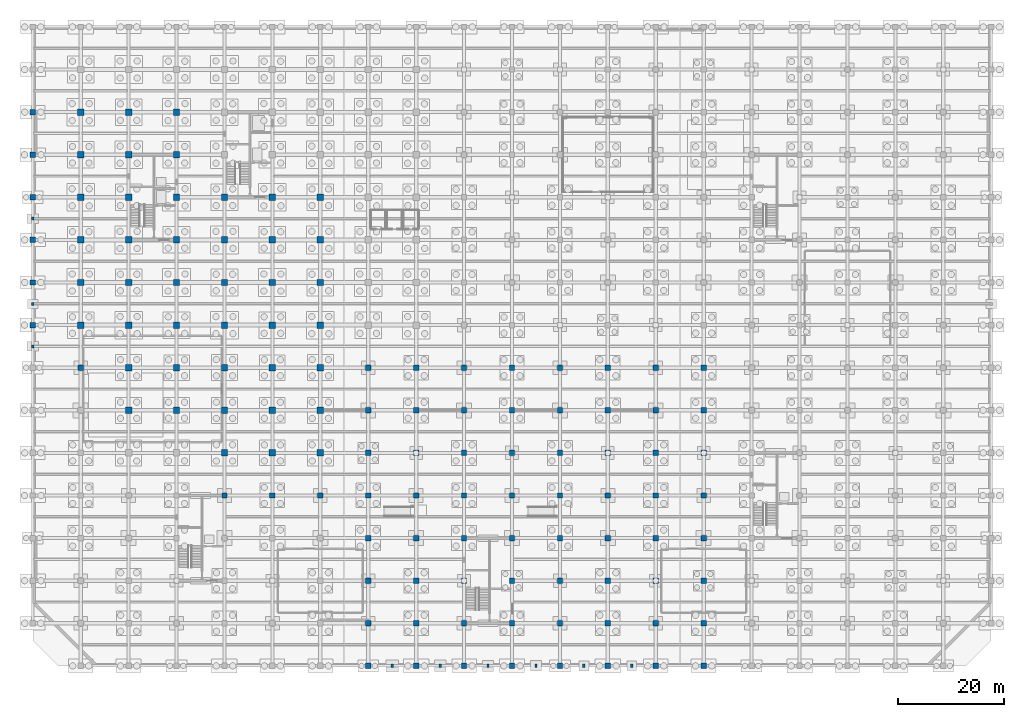
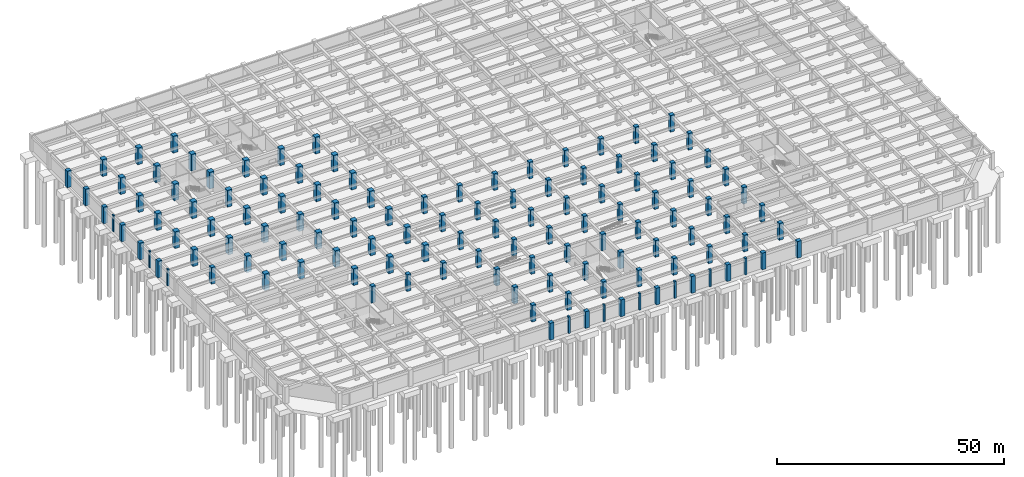
# One storey, part 9 of 31: 126 columns.
"""IFC4 building model written with IfcOpenShell, lengths in metres."""

from ifc_helpers import new_model, si_unit, direction, frame, origin, origin_2d, place, context, subcontext, project, spatial, rectangle, extrude, material, material_profile, profile_set, type_object, element, save


model = new_model("IFC4")

# Units and contexts
model_context = context("Model", 3, precision=1e-05, world=origin(), true_north=direction((0.0, 1.0)))
body_context = subcontext(model_context, "Body", "Model", "MODEL_VIEW")
ifc_project = project(units=[si_unit("LENGTHUNIT", "METRE"), si_unit("AREAUNIT", "SQUARE_METRE"), si_unit("VOLUMEUNIT", "CUBIC_METRE"), si_unit("PLANEANGLEUNIT", "RADIAN"), si_unit("MASSUNIT", "GRAM", prefix="KILO")], contexts=[model_context])

# Site, building, storey
site_placement = place(None, origin())
site = spatial("IfcSite", under=ifc_project, at=site_placement, CompositionType="ELEMENT")
building_placement = place(site_placement, origin())
building = spatial("IfcBuilding", under=site, at=building_placement, Name="Zaverband Oceanarium and Marine Research Institute", CompositionType="ELEMENT")
storey_placement = place(building_placement, frame((0.0, 0.0, -9.0)))
storey = spatial("IfcBuildingStorey", under=building, at=storey_placement, Name="B2", CompositionType="ELEMENT", Elevation=-9.0)

# Columns
ifc_material_1 = material(Name="Concrete C50/60", Category="concrete")
ifc_material_profile_1 = material_profile(ifc_material_1, rectangle(XDim=1.0, YDim=1.0, at=origin_2d()), Name="RC1000x1000")
ifc_profile_set_1 = profile_set([ifc_material_profile_1], Name="Concrete C50/60")
column_type_1 = type_object("IfcColumnType", Name="COL-C1000", PredefinedType="COLUMN", material=ifc_profile_set_1)
for number, where, z_axis, x_axis, name in (
    (1, (0.0, 64.0, 0.0), (0.0, 0.0, 1.0), (1.0, 0.0, 0.0), "Reinforced concrete column RC1000x1000 COL-C1000"),
    (2, (0.0, 72.0, 0.0), (0.0, 0.0, 1.0), (1.0, 0.0, 0.0), "Reinforced concrete column RC1000x1000 COL-C1000"),
    (3, (0.0, 80.0, 0.0), (0.0, 0.0, 1.0), (1.0, 0.0, 0.0), "Reinforced concrete column RC1000x1000 COL-C1000"),
    (4, (0.0, 88.0, 0.0), (0.0, 0.0, 1.0), (1.0, 0.0, 0.0), "Reinforced concrete column RC1000x1000 COL-C1000"),
    (5, (0.0, 96.0, 0.0), (0.0, 0.0, 1.0), (1.0, 0.0, 0.0), "Reinforced concrete column RC1000x1000 COL-C1000"),
    (6, (0.0, 104.0, 0.0), (0.0, 0.0, 1.0), (1.0, 0.0, 0.0), "Reinforced concrete column RC1000x1000 COL-C1000"),
    (7, (9.0, 56.0, 0.0), (0.0, 0.0, 1.0), (1.0, 0.0, 0.0), "Reinforced concrete column RC1000x1000 COL-C1000"),
    (8, (36.0, 32.0, 0.0), (0.0, 0.0, 1.0), (1.0, 0.0, 0.0), "Reinforced concrete column RC1000x1000 COL-C1000"),
    (9, (45.0, 32.0, 0.0), (0.0, 0.0, 1.0), (1.0, 0.0, 0.0), "Reinforced concrete column RC1000x1000 COL-C1000"),
    (10, (54.0, 32.0, 0.0), (0.0, 0.0, 1.0), (1.0, 0.0, 0.0), "Reinforced concrete column RC1000x1000 COL-C1000"),
    (11, (63.0, 0.0, 0.0), (0.0, 0.0, 1.0), (1.0, 0.0, 0.0), "Reinforced concrete column RC1000x1000 COL-C1000"),
    (12, (63.0, 8.0, 0.0), (0.0, 0.0, 1.0), (1.0, 0.0, 0.0), "Reinforced concrete column RC1000x1000 COL-C1000"),
    (13, (63.0, 16.0, 0.0), (0.0, 0.0, 1.0), (1.0, 0.0, 0.0), "Reinforced concrete column RC1000x1000 COL-C1000"),
    (14, (63.0, 24.0, 0.0), (0.0, 0.0, 1.0), (1.0, 0.0, 0.0), "Reinforced concrete column RC1000x1000 COL-C1000"),
    (15, (63.0, 32.0, 0.0), (0.0, 0.0, 1.0), (1.0, 0.0, 0.0), "Reinforced concrete column RC1000x1000 COL-C1000"),
    (16, (63.0, 40.0, 0.0), (0.0, 0.0, 1.0), (1.0, 0.0, 0.0), "Reinforced concrete column RC1000x1000 COL-C1000"),
    (17, (63.0, 48.0, 0.0), (0.0, 0.0, 1.0), (1.0, 0.0, 0.0), "Reinforced concrete column RC1000x1000 COL-C1000"),
    (18, (63.0, 56.0, 0.0), (0.0, 0.0, 1.0), (1.0, 0.0, 0.0), "Reinforced concrete column RC1000x1000 COL-C1000"),
    (19, (72.0, 0.0, 0.0), (0.0, 0.0, 1.0), (1.0, 0.0, 0.0), "Reinforced concrete column RC1000x1000 COL-C1000"),
    (20, (72.0, 8.0, 0.0), (0.0, 0.0, 1.0), (1.0, 0.0, 0.0), "Reinforced concrete column RC1000x1000 COL-C1000"),
    (21, (72.0, 16.0, 0.0), (0.0, 0.0, 1.0), (1.0, 0.0, 0.0), "Reinforced concrete column RC1000x1000 COL-C1000"),
    (22, (72.0, 24.0, 0.0), (0.0, 0.0, 1.0), (1.0, 0.0, 0.0), "Reinforced concrete column RC1000x1000 COL-C1000"),
    (23, (72.0, 32.0, 0.0), (0.0, 0.0, 1.0), (1.0, 0.0, 0.0), "Reinforced concrete column RC1000x1000 COL-C1000"),
    (24, (72.0, 40.0, 0.0), (0.0, 0.0, 1.0), (1.0, 0.0, 0.0), "Reinforced concrete column RC1000x1000 COL-C1000"),
    (25, (72.0, 48.0, 0.0), (0.0, 0.0, 1.0), (1.0, 0.0, 0.0), "Reinforced concrete column RC1000x1000 COL-C1000"),
    (26, (72.0, 56.0, 0.0), (0.0, 0.0, 1.0), (1.0, 0.0, 0.0), "Reinforced concrete column RC1000x1000 COL-C1000"),
    (27, (81.0, 0.0, 0.0), (0.0, 0.0, 1.0), (1.0, 0.0, 0.0), "Reinforced concrete column RC1000x1000 COL-C1000"),
    (28, (81.0, 8.0, 0.0), (0.0, 0.0, 1.0), (1.0, 0.0, 0.0), "Reinforced concrete column RC1000x1000 COL-C1000"),
    (29, (81.0, 16.0, 0.0), (0.0, 0.0, 1.0), (1.0, 0.0, 0.0), "Reinforced concrete column RC1000x1000 COL-C1000"),
    (30, (81.0, 24.0, 0.0), (0.0, 0.0, 1.0), (1.0, 0.0, 0.0), "Reinforced concrete column RC1000x1000 COL-C1000"),
    (31, (81.0, 32.0, 0.0), (0.0, 0.0, 1.0), (1.0, 0.0, 0.0), "Reinforced concrete column RC1000x1000 COL-C1000"),
    (32, (81.0, 40.0, 0.0), (0.0, 0.0, 1.0), (1.0, 0.0, 0.0), "Reinforced concrete column RC1000x1000 COL-C1000"),
    (33, (81.0, 48.0, 0.0), (0.0, 0.0, 1.0), (1.0, 0.0, 0.0), "Reinforced concrete column RC1000x1000 COL-C1000"),
    (34, (81.0, 56.0, 0.0), (0.0, 0.0, 1.0), (1.0, 0.0, 0.0), "Reinforced concrete column RC1000x1000 COL-C1000"),
    (35, (90.0, 0.0, 0.0), (0.0, 0.0, 1.0), (1.0, 0.0, 0.0), "Reinforced concrete column RC1000x1000 COL-C1000"),
    (36, (90.0, 8.0, 0.0), (0.0, 0.0, 1.0), (1.0, 0.0, 0.0), "Reinforced concrete column RC1000x1000 COL-C1000"),
    (37, (90.0, 16.0, 0.0), (0.0, 0.0, 1.0), (1.0, 0.0, 0.0), "Reinforced concrete column RC1000x1000 COL-C1000"),
    (38, (90.0, 24.0, 0.0), (0.0, 0.0, 1.0), (1.0, 0.0, 0.0), "Reinforced concrete column RC1000x1000 COL-C1000"),
    (39, (90.0, 32.0, 0.0), (0.0, 0.0, 1.0), (1.0, 0.0, 0.0), "Reinforced concrete column RC1000x1000 COL-C1000"),
    (40, (90.0, 40.0, 0.0), (0.0, 0.0, 1.0), (1.0, 0.0, 0.0), "Reinforced concrete column RC1000x1000 COL-C1000"),
    (41, (90.0, 48.0, 0.0), (0.0, 0.0, 1.0), (1.0, 0.0, 0.0), "Reinforced concrete column RC1000x1000 COL-C1000"),
    (42, (90.0, 56.0, 0.0), (0.0, 0.0, 1.0), (1.0, 0.0, 0.0), "Reinforced concrete column RC1000x1000 COL-C1000"),
    (43, (99.0, 0.0, 0.0), (0.0, 0.0, 1.0), (1.0, 0.0, 0.0), "Reinforced concrete column RC1000x1000 COL-C1000"),
    (44, (99.0, 8.0, 0.0), (0.0, 0.0, 1.0), (1.0, 0.0, 0.0), "Reinforced concrete column RC1000x1000 COL-C1000"),
    (45, (99.0, 16.0, 0.0), (0.0, 0.0, 1.0), (1.0, 0.0, 0.0), "Reinforced concrete column RC1000x1000 COL-C1000"),
    (46, (99.0, 24.0, 0.0), (0.0, 0.0, 1.0), (1.0, 0.0, 0.0), "Reinforced concrete column RC1000x1000 COL-C1000"),
    (47, (99.0, 32.0, 0.0), (0.0, 0.0, 1.0), (1.0, 0.0, 0.0), "Reinforced concrete column RC1000x1000 COL-C1000"),
    (48, (99.0, 40.0, 0.0), (0.0, 0.0, 1.0), (1.0, 0.0, 0.0), "Reinforced concrete column RC1000x1000 COL-C1000"),
    (49, (99.0, 48.0, 0.0), (0.0, 0.0, 1.0), (1.0, 0.0, 0.0), "Reinforced concrete column RC1000x1000 COL-C1000"),
    (50, (99.0, 56.0, 0.0), (0.0, 0.0, 1.0), (1.0, 0.0, 0.0), "Reinforced concrete column RC1000x1000 COL-C1000"),
    (51, (108.0, 0.0, 0.0), (0.0, 0.0, 1.0), (1.0, 0.0, 0.0), "Reinforced concrete column RC1000x1000 COL-C1000"),
    (52, (108.0, 8.0, 0.0), (0.0, 0.0, 1.0), (1.0, 0.0, 0.0), "Reinforced concrete column RC1000x1000 COL-C1000"),
    (53, (108.0, 16.0, 0.0), (0.0, 0.0, 1.0), (1.0, 0.0, 0.0), "Reinforced concrete column RC1000x1000 COL-C1000"),
    (54, (108.0, 24.0, 0.0), (0.0, 0.0, 1.0), (1.0, 0.0, 0.0), "Reinforced concrete column RC1000x1000 COL-C1000"),
    (55, (108.0, 32.0, 0.0), (0.0, 0.0, 1.0), (1.0, 0.0, 0.0), "Reinforced concrete column RC1000x1000 COL-C1000"),
    (56, (108.0, 40.0, 0.0), (0.0, 0.0, 1.0), (1.0, 0.0, 0.0), "Reinforced concrete column RC1000x1000 COL-C1000"),
    (57, (108.0, 48.0, 0.0), (0.0, 0.0, 1.0), (1.0, 0.0, 0.0), "Reinforced concrete column RC1000x1000 COL-C1000"),
    (58, (108.0, 56.0, 0.0), (0.0, 0.0, 1.0), (1.0, 0.0, 0.0), "Reinforced concrete column RC1000x1000 COL-C1000"),
    (59, (117.0, 0.0, 0.0), (0.0, 0.0, 1.0), (1.0, 0.0, 0.0), "Reinforced concrete column RC1000x1000 COL-C1000"),
    (60, (117.0, 8.0, 0.0), (0.0, 0.0, 1.0), (1.0, 0.0, 0.0), "Reinforced concrete column RC1000x1000 COL-C1000"),
    (61, (117.0, 16.0, 0.0), (0.0, 0.0, 1.0), (1.0, 0.0, 0.0), "Reinforced concrete column RC1000x1000 COL-C1000"),
    (62, (117.0, 24.0, 0.0), (0.0, 0.0, 1.0), (1.0, 0.0, 0.0), "Reinforced concrete column RC1000x1000 COL-C1000"),
    (63, (117.0, 32.0, 0.0), (0.0, 0.0, 1.0), (1.0, 0.0, 0.0), "Reinforced concrete column RC1000x1000 COL-C1000"),
    (64, (117.0, 40.0, 0.0), (0.0, 0.0, 1.0), (1.0, 0.0, 0.0), "Reinforced concrete column RC1000x1000 COL-C1000"),
    (65, (117.0, 48.0, 0.0), (0.0, 0.0, 1.0), (1.0, 0.0, 0.0), "Reinforced concrete column RC1000x1000 COL-C1000"),
    (66, (117.0, 56.0, 0.0), (0.0, 0.0, 1.0), (1.0, 0.0, 0.0), "Reinforced concrete column RC1000x1000 COL-C1000"),
    (67, (126.0, 0.0, 0.0), (0.0, 0.0, 1.0), (1.0, 0.0, 0.0), "Reinforced concrete column RC1000x1000 COL-C1000"),
    (68, (126.0, 8.0, 0.0), (0.0, 0.0, 1.0), (1.0, 0.0, 0.0), "Reinforced concrete column RC1000x1000 COL-C1000"),
    (69, (126.0, 16.0, 0.0), (0.0, 0.0, 1.0), (1.0, 0.0, 0.0), "Reinforced concrete column RC1000x1000 COL-C1000"),
    (70, (126.0, 24.0, 0.0), (0.0, 0.0, 1.0), (1.0, 0.0, 0.0), "Reinforced concrete column RC1000x1000 COL-C1000"),
    (71, (126.0, 32.0, 0.0), (0.0, 0.0, 1.0), (1.0, 0.0, 0.0), "Reinforced concrete column RC1000x1000 COL-C1000"),
    (72, (126.0, 40.0, 0.0), (0.0, 0.0, 1.0), (1.0, 0.0, 0.0), "Reinforced concrete column RC1000x1000 COL-C1000"),
    (73, (126.0, 48.0, 0.0), (0.0, 0.0, 1.0), (1.0, 0.0, 0.0), "Reinforced concrete column RC1000x1000 COL-C1000"),
    (74, (126.0, 56.0, 0.0), (0.0, 0.0, 1.0), (1.0, 0.0, 0.0), "Reinforced concrete column RC1000x1000 COL-C1000"),
):
    element("IfcColumn", number, at=place(storey_placement, frame(where, z_axis=z_axis, x_axis=x_axis)), inside=storey, type_object=column_type_1, Name=name, PredefinedType="COLUMN", context=body_context, shape_type="SweptSolid", body=[
        extrude(rectangle(XDim=1.0, YDim=1.0, at=origin_2d()), origin(), (0.0, 0.0, 1.0), 4.5),
    ])
ifc_material_profile_2 = material_profile(ifc_material_1, rectangle(XDim=1.199951171875, YDim=1.199951171875, at=origin_2d()), Name="RC1200x1200")
ifc_profile_set_2 = profile_set([ifc_material_profile_2], Name="Concrete C50/60")
column_type_2 = type_object("IfcColumnType", Name="COL-C1200", PredefinedType="COLUMN", material=ifc_profile_set_2)
for number, where, z_axis, x_axis, name in (
    (75, (9.0, 64.0, 0.0), (0.0, 0.0, 1.0), (1.0, 0.0, 0.0), "Reinforced concrete column RC1200x1200 COL-C1200"),
    (76, (9.0, 72.0, 0.0), (0.0, 0.0, 1.0), (1.0, 0.0, 0.0), "Reinforced concrete column RC1200x1200 COL-C1200"),
    (77, (9.0, 80.0, 0.0), (0.0, 0.0, 1.0), (1.0, 0.0, 0.0), "Reinforced concrete column RC1200x1200 COL-C1200"),
    (78, (9.0, 88.0, 0.0), (0.0, 0.0, 1.0), (1.0, 0.0, 0.0), "Reinforced concrete column RC1200x1200 COL-C1200"),
    (79, (9.0, 96.0, 0.0), (0.0, 0.0, 1.0), (1.0, 0.0, 0.0), "Reinforced concrete column RC1200x1200 COL-C1200"),
    (80, (9.0, 104.0, 0.0), (0.0, 0.0, 1.0), (1.0, 0.0, 0.0), "Reinforced concrete column RC1200x1200 COL-C1200"),
    (81, (18.0, 48.0, 0.0), (0.0, 0.0, 1.0), (1.0, 0.0, 0.0), "Reinforced concrete column RC1200x1200 COL-C1200"),
    (82, (18.0, 56.0, 0.0), (0.0, 0.0, 1.0), (1.0, 0.0, 0.0), "Reinforced concrete column RC1200x1200 COL-C1200"),
    (83, (18.0, 64.0, 0.0), (0.0, 0.0, 1.0), (1.0, 0.0, 0.0), "Reinforced concrete column RC1200x1200 COL-C1200"),
    (84, (18.0, 72.0, 0.0), (0.0, 0.0, 1.0), (1.0, 0.0, 0.0), "Reinforced concrete column RC1200x1200 COL-C1200"),
    (85, (18.0, 80.0, 0.0), (0.0, 0.0, 1.0), (1.0, 0.0, 0.0), "Reinforced concrete column RC1200x1200 COL-C1200"),
    (86, (18.0, 88.0, 0.0), (0.0, 0.0, 1.0), (1.0, 0.0, 0.0), "Reinforced concrete column RC1200x1200 COL-C1200"),
    (87, (18.0, 96.0, 0.0), (0.0, 0.0, 1.0), (1.0, 0.0, 0.0), "Reinforced concrete column RC1200x1200 COL-C1200"),
    (88, (18.0, 104.0, 0.0), (0.0, 0.0, 1.0), (1.0, 0.0, 0.0), "Reinforced concrete column RC1200x1200 COL-C1200"),
    (89, (27.0, 48.0, 0.0), (0.0, 0.0, 1.0), (1.0, 0.0, 0.0), "Reinforced concrete column RC1200x1200 COL-C1200"),
    (90, (27.0, 56.0, 0.0), (0.0, 0.0, 1.0), (1.0, 0.0, 0.0), "Reinforced concrete column RC1200x1200 COL-C1200"),
    (91, (27.0, 64.0, 0.0), (0.0, 0.0, 1.0), (1.0, 0.0, 0.0), "Reinforced concrete column RC1200x1200 COL-C1200"),
    (92, (27.0, 72.0, 0.0), (0.0, 0.0, 1.0), (1.0, 0.0, 0.0), "Reinforced concrete column RC1200x1200 COL-C1200"),
    (93, (27.0, 80.0, 0.0), (0.0, 0.0, 1.0), (1.0, 0.0, 0.0), "Reinforced concrete column RC1200x1200 COL-C1200"),
    (94, (27.0, 88.0, 0.0), (0.0, 0.0, 1.0), (1.0, 0.0, 0.0), "Reinforced concrete column RC1200x1200 COL-C1200"),
    (95, (27.0, 96.0, 0.0), (0.0, 0.0, 1.0), (1.0, 0.0, 0.0), "Reinforced concrete column RC1200x1200 COL-C1200"),
    (96, (27.0, 104.0, 0.0), (0.0, 0.0, 1.0), (1.0, 0.0, 0.0), "Reinforced concrete column RC1200x1200 COL-C1200"),
    (97, (36.0, 40.0, 0.0), (0.0, 0.0, 1.0), (1.0, 0.0, 0.0), "Reinforced concrete column RC1200x1200 COL-C1200"),
    (98, (36.0, 48.0, 0.0), (0.0, 0.0, 1.0), (1.0, 0.0, 0.0), "Reinforced concrete column RC1200x1200 COL-C1200"),
    (99, (36.0, 56.0, 0.0), (0.0, 0.0, 1.0), (1.0, 0.0, 0.0), "Reinforced concrete column RC1200x1200 COL-C1200"),
    (100, (36.0, 64.0, 0.0), (0.0, 0.0, 1.0), (1.0, 0.0, 0.0), "Reinforced concrete column RC1200x1200 COL-C1200"),
    (101, (36.0, 72.0, 0.0), (0.0, 0.0, 1.0), (1.0, 0.0, 0.0), "Reinforced concrete column RC1200x1200 COL-C1200"),
    (102, (36.0, 80.0, 0.0), (0.0, 0.0, 1.0), (1.0, 0.0, 0.0), "Reinforced concrete column RC1200x1200 COL-C1200"),
    (103, (36.0, 88.0, 0.0), (0.0, 0.0, 1.0), (1.0, 0.0, 0.0), "Reinforced concrete column RC1200x1200 COL-C1200"),
    (104, (45.0, 40.0, 0.0), (0.0, 0.0, 1.0), (1.0, 0.0, 0.0), "Reinforced concrete column RC1200x1200 COL-C1200"),
    (105, (45.0, 48.0, 0.0), (0.0, 0.0, 1.0), (1.0, 0.0, 0.0), "Reinforced concrete column RC1200x1200 COL-C1200"),
    (106, (45.0, 56.0, 0.0), (0.0, 0.0, 1.0), (1.0, 0.0, 0.0), "Reinforced concrete column RC1200x1200 COL-C1200"),
    (107, (45.0, 64.0, 0.0), (0.0, 0.0, 1.0), (1.0, 0.0, 0.0), "Reinforced concrete column RC1200x1200 COL-C1200"),
    (108, (45.0, 72.0, 0.0), (0.0, 0.0, 1.0), (1.0, 0.0, 0.0), "Reinforced concrete column RC1200x1200 COL-C1200"),
    (109, (45.0, 80.0, 0.0), (0.0, 0.0, 1.0), (1.0, 0.0, 0.0), "Reinforced concrete column RC1200x1200 COL-C1200"),
    (110, (45.0, 88.0, 0.0), (0.0, 0.0, 1.0), (1.0, 0.0, 0.0), "Reinforced concrete column RC1200x1200 COL-C1200"),
    (111, (54.0, 40.0, 0.0), (0.0, 0.0, 1.0), (1.0, 0.0, 0.0), "Reinforced concrete column RC1200x1200 COL-C1200"),
    (112, (54.0, 48.0, 0.0), (0.0, 0.0, 1.0), (1.0, 0.0, 0.0), "Reinforced concrete column RC1200x1200 COL-C1200"),
    (113, (54.0, 56.0, 0.0), (0.0, 0.0, 1.0), (1.0, 0.0, 0.0), "Reinforced concrete column RC1200x1200 COL-C1200"),
    (114, (54.0, 64.0, 0.0), (0.0, 0.0, 1.0), (1.0, 0.0, 0.0), "Reinforced concrete column RC1200x1200 COL-C1200"),
    (115, (54.0, 72.0, 0.0), (0.0, 0.0, 1.0), (1.0, 0.0, 0.0), "Reinforced concrete column RC1200x1200 COL-C1200"),
    (116, (54.0, 80.0, 0.0), (0.0, 0.0, 1.0), (1.0, 0.0, 0.0), "Reinforced concrete column RC1200x1200 COL-C1200"),
    (117, (54.0, 88.0, 0.0), (0.0, 0.0, 1.0), (1.0, 0.0, 0.0), "Reinforced concrete column RC1200x1200 COL-C1200"),
):
    element("IfcColumn", number, at=place(storey_placement, frame(where, z_axis=z_axis, x_axis=x_axis)), inside=storey, type_object=column_type_2, Name=name, PredefinedType="COLUMN", context=body_context, shape_type="SweptSolid", body=[
        extrude(rectangle(XDim=1.199951171875, YDim=1.199951171875, at=origin_2d()), origin(), (0.0, 0.0, 1.0), 4.5),
    ])
ifc_material_2 = material(Name="Concrete C40/50", Category="concrete")
ifc_material_profile_3 = material_profile(ifc_material_2, rectangle(XDim=0.39990234375, YDim=0.550048828125, at=origin_2d()), Name="RC400x550")
ifc_profile_set_3 = profile_set([ifc_material_profile_3], Name="Concrete C40/50")
column_type_3 = type_object("IfcColumnType", Name="PIL-400x550", PredefinedType="PILASTER", material=ifc_profile_set_3)
for number, where, z_axis, x_axis, name in (
    (118, (0.0, 60.0, 0.0), (0.0, 0.0, 1.0), (1.0, 0.0, 0.0), "Fluted precast/cast-in-place colonnade pilaster RC400x550 PIL-400x550"),
    (119, (0.0, 68.0, 0.0), (0.0, 0.0, 1.0), (1.0, 0.0, 0.0), "Fluted precast/cast-in-place colonnade pilaster RC400x550 PIL-400x550"),
    (120, (0.0, 84.0, 0.0), (0.0, 0.0, 1.0), (1.0, 0.0, 0.0), "Fluted precast/cast-in-place colonnade pilaster RC400x550 PIL-400x550"),
):
    element("IfcColumn", number, at=place(storey_placement, frame(where, z_axis=z_axis, x_axis=x_axis)), inside=storey, type_object=column_type_3, Name=name, PredefinedType="PILASTER", context=body_context, shape_type="SweptSolid", body=[
        extrude(rectangle(XDim=0.39990234375, YDim=0.550048828125, at=origin_2d()), origin(), (0.0, 0.0, 1.0), 4.5),
    ])
ifc_material_profile_4 = material_profile(ifc_material_2, rectangle(XDim=0.449951171875, YDim=0.64990234375, at=origin_2d()), Name="RC450x650")
ifc_profile_set_4 = profile_set([ifc_material_profile_4], Name="Concrete C40/50")
column_type_4 = type_object("IfcColumnType", Name="PIL-450x650", PredefinedType="PILASTER", material=ifc_profile_set_4)
for number, where, z_axis, x_axis, name in (
    (121, (67.5, 0.0, 0.0), (0.0, 0.0, 1.0), (1.0, 0.0, 0.0), "Fluted precast/cast-in-place colonnade pilaster RC450x650 PIL-450x650"),
    (122, (76.5, 0.0, 0.0), (0.0, 0.0, 1.0), (1.0, 0.0, 0.0), "Fluted precast/cast-in-place colonnade pilaster RC450x650 PIL-450x650"),
    (123, (85.5, 0.0, 0.0), (0.0, 0.0, 1.0), (1.0, 0.0, 0.0), "Fluted precast/cast-in-place colonnade pilaster RC450x650 PIL-450x650"),
    (124, (94.5, 0.0, 0.0), (0.0, 0.0, 1.0), (1.0, 0.0, 0.0), "Fluted precast/cast-in-place colonnade pilaster RC450x650 PIL-450x650"),
    (125, (103.5, 0.0, 0.0), (0.0, 0.0, 1.0), (1.0, 0.0, 0.0), "Fluted precast/cast-in-place colonnade pilaster RC450x650 PIL-450x650"),
    (126, (112.5, 0.0, 0.0), (0.0, 0.0, 1.0), (1.0, 0.0, 0.0), "Fluted precast/cast-in-place colonnade pilaster RC450x650 PIL-450x650"),
):
    element("IfcColumn", number, at=place(storey_placement, frame(where, z_axis=z_axis, x_axis=x_axis)), inside=storey, type_object=column_type_4, Name=name, PredefinedType="PILASTER", context=body_context, shape_type="SweptSolid", body=[
        extrude(rectangle(XDim=0.449951171875, YDim=0.64990234375, at=origin_2d()), origin(), (0.0, 0.0, 1.0), 4.5),
    ])

save(model, "model.ifc")
